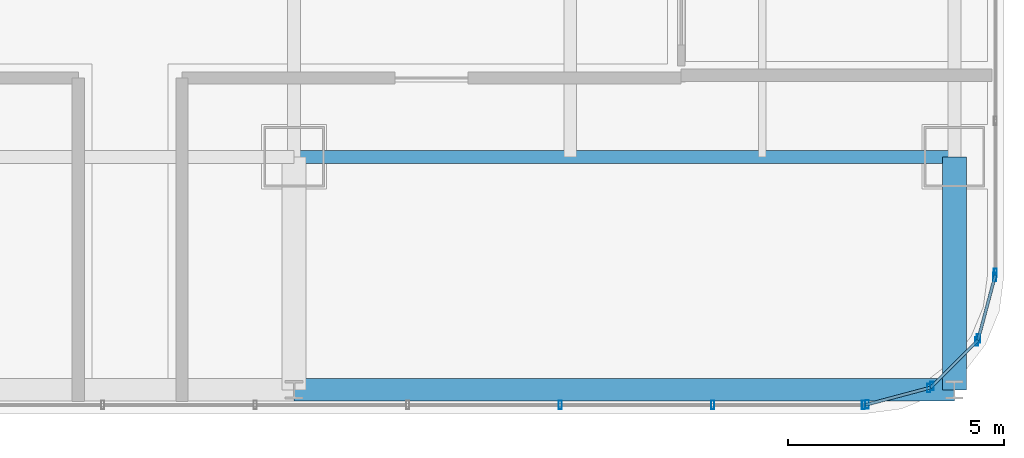
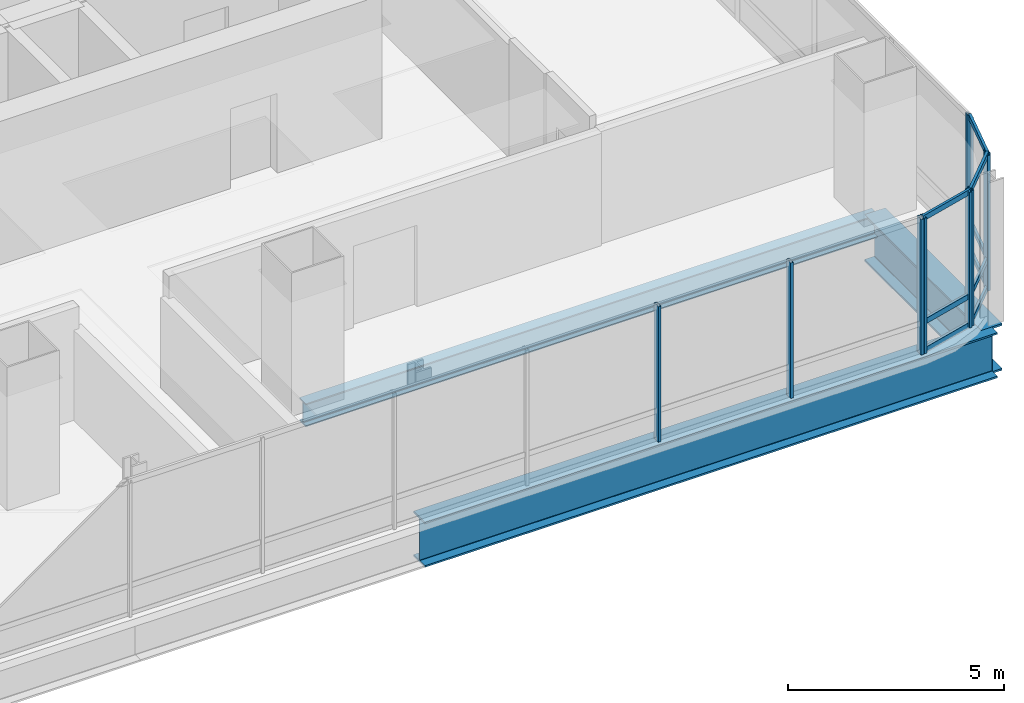
# One storey, part 13 of 36: 19 members, 3 beams, 5 elements without a shape of their own.
"""IFC4 building model written with IfcOpenShell, lengths in metres."""

from ifc_helpers import new_model, si_unit, direction, frame, origin, origin_2d, place, context, subcontext, project, spatial, hollow_rectangle, i_section, extrude, material, material_profile, profile_set, type_object, element, aggregate, save


model = new_model("IFC4")

# Units and contexts
model_context = context("Model", 3, precision=1e-05, world=origin(), true_north=direction((0.0, 1.0)))
body_context = subcontext(model_context, "Body", "Model", "MODEL_VIEW")
ifc_project = project(units=[si_unit("LENGTHUNIT", "METRE"), si_unit("AREAUNIT", "SQUARE_METRE"), si_unit("VOLUMEUNIT", "CUBIC_METRE"), si_unit("PLANEANGLEUNIT", "RADIAN"), si_unit("MASSUNIT", "GRAM", prefix="KILO")], contexts=[model_context])

# Site, building, storey
site_placement = place(None, origin())
site = spatial("IfcSite", under=ifc_project, at=site_placement, CompositionType="ELEMENT")
building_placement = place(site_placement, origin())
building = spatial("IfcBuilding", under=site, at=building_placement, Name="Punatoya Terracotta Tower", CompositionType="ELEMENT")
storey_placement = place(building_placement, frame((0.0, 0.0, 196.5)))
storey = spatial("IfcBuildingStorey", under=building, at=storey_placement, Name="L46", CompositionType="ELEMENT", Elevation=196.5)

# Beams
ifc_material_1 = material(Name="Steel S355", Category="steel")
ifc_material_profile_1 = material_profile(ifc_material_1, i_section(OverallWidth=0.300048828125, OverallDepth=0.64990234375, WebThickness=0.01611328125, FlangeThickness=0.031005859375, FilletRadius=0.01806640625, at=origin_2d()))
ifc_profile_set_1 = profile_set([ifc_material_profile_1], Name="Steel S355")
beam_type_1 = type_object("IfcBeamType", Name="BM-PRI-650", PredefinedType="BEAM", material=ifc_profile_set_1)
beam_1_placement = place(storey_placement, frame((3.800048828125, -17.5, -0.544921875), z_axis=(1.0, 0.0, 0.0), x_axis=(0.0, 1.0, 0.0)))
element("IfcBeam", 1, at=beam_1_placement, inside=storey, type_object=beam_type_1, Name="BM-L46-RG-S3", PredefinedType="BEAM", context=body_context, shape_type="SweptSolid", body=[
    extrude(i_section(OverallWidth=0.300048828125, OverallDepth=0.64990234375, WebThickness=0.01611328125, FlangeThickness=0.031005859375, FilletRadius=0.01806640625, at=origin_2d()), origin(), (0.0, 0.0, 1.0), 15.300048828125),
])
ifc_material_2 = material(Name="Steel S460", Category="steel")
ifc_material_profile_2 = material_profile(ifc_material_2, i_section(OverallWidth=0.56005859375, OverallDepth=1.320068359375, WebThickness=0.035888671875, FlangeThickness=0.054931640625, FilletRadius=0.01806640625, at=origin_2d()))
ifc_profile_set_2 = profile_set([ifc_material_profile_2], Name="Steel S460")
beam_type_2 = type_object("IfcBeamType", Name="BM-TG-BLK", PredefinedType="BEAM", material=ifc_profile_set_2)
beam_2_placement = place(storey_placement, frame((19.10009765625, -22.89990234375, -0.8798828125), z_axis=(0.0, 1.0, 0.0), x_axis=(-1.0, 0.0, 0.0)))
element("IfcBeam", 2, at=beam_2_placement, inside=storey, type_object=beam_type_2, Name="BM-L46-CANT-S4", PredefinedType="BEAM", context=body_context, shape_type="SweptSolid", body=[
    extrude(i_section(OverallWidth=0.56005859375, OverallDepth=1.320068359375, WebThickness=0.035888671875, FlangeThickness=0.054931640625, FilletRadius=0.01806640625, at=origin_2d()), origin(), (0.0, 0.0, 1.0), 5.39990234375),
])
ifc_material_profile_3 = material_profile(ifc_material_2, i_section(OverallWidth=0.52001953125, OverallDepth=1.280029296875, WebThickness=0.031982421875, FlangeThickness=0.050048828125, FilletRadius=0.01806640625, at=origin_2d()))
ifc_profile_set_3 = profile_set([ifc_material_profile_3], Name="Steel S460")
beam_type_3 = type_object("IfcBeamType", Name="BM-TG-NCK", PredefinedType="BEAM", material=ifc_profile_set_3)
beam_3_placement = place(storey_placement, frame((3.800048828125, -22.89990234375, -0.860107421875), z_axis=(1.0, 0.0, 0.0), x_axis=(0.0, 1.0, 0.0)))
element("IfcBeam", 3, at=beam_3_placement, inside=storey, type_object=beam_type_3, Name="BM-L46-PER-S3", PredefinedType="BEAM", context=body_context, shape_type="SweptSolid", body=[
    extrude(i_section(OverallWidth=0.52001953125, OverallDepth=1.280029296875, WebThickness=0.031982421875, FlangeThickness=0.050048828125, FilletRadius=0.01806640625, at=origin_2d()), origin(), (0.0, 0.0, 1.0), 15.300048828125),
])

# Curtain wall, members
ifc_material_3 = material(Name="Aluminium 6063-T6 + Double Low-E Glass", Category="aluminium")
curtain_wall_type = type_object("IfcCurtainWallType", Name="CW-M2", PredefinedType="NOTDEFINED", material=ifc_material_3)
curtain_wall_1_placement = place(storey_placement, origin())
curtain_wall_1 = element("IfcCurtainWall", 4, at=curtain_wall_1_placement, inside=storey, type_object=curtain_wall_type, Name="L46 Curtain Wall CW-L46-S01-1", PredefinedType="NOTDEFINED")
ifc_material_4 = material(Name="Aluminium 6063-T6", Category="aluminium")
ifc_material_profile_4 = material_profile(ifc_material_4, hollow_rectangle(XDim=0.072021484375, YDim=0.195068359375, WallThickness=0.00439453125, at=origin_2d()))
ifc_profile_set_4 = profile_set([ifc_material_profile_4], Name="Aluminium 6063-T6")
member_type_1 = type_object("IfcMemberType", Name="CW-MUL-M2", PredefinedType="MULLION", material=ifc_profile_set_4)
member_1_placement = place(storey_placement, frame((9.968994140625, -23.25, 0.0), z_axis=(0.0, 0.0, 1.0), x_axis=(1.0, 0.0, 0.0)))
member_1 = element("IfcMember", 5, at=member_1_placement, type_object=member_type_1, Name="CW-L46-S01-1 Mullion 09", PredefinedType="MULLION", context=body_context, shape_type="SweptSolid", body=[
    extrude(hollow_rectangle(XDim=0.072021484375, YDim=0.195068359375, WallThickness=0.00439453125, at=origin_2d()), origin(), (0.0, 0.0, 1.0), 3.830078125),
])
member_2_placement = place(storey_placement, frame((13.5029296875, -23.25, 0.0), z_axis=(0.0, 0.0, 1.0), x_axis=(1.0, 0.0, 0.0)))
member_2 = element("IfcMember", 6, at=member_2_placement, type_object=member_type_1, Name="CW-L46-S01-1 Mullion 10", PredefinedType="MULLION", context=body_context, shape_type="SweptSolid", body=[
    extrude(hollow_rectangle(XDim=0.072021484375, YDim=0.195068359375, WallThickness=0.00439453125, at=origin_2d()), origin(), (0.0, 0.0, 1.0), 3.830078125),
])
member_3_placement = place(storey_placement, frame((16.991943359375, -23.25, 0.0), z_axis=(0.0, 0.0, 1.0), x_axis=(1.0, 0.0, 0.0)))
member_3 = element("IfcMember", 7, at=member_3_placement, type_object=member_type_1, Name="CW-L46-S01-1 Mullion 11", PredefinedType="MULLION", context=body_context, shape_type="SweptSolid", body=[
    extrude(hollow_rectangle(XDim=0.072021484375, YDim=0.195068359375, WallThickness=0.00439453125, at=origin_2d()), origin(), (0.0, 0.0, 1.0), 3.830078125),
])
aggregate(curtain_wall_1, [member_1, member_2, member_3])

curtain_wall_2_placement = place(storey_placement, origin())
curtain_wall_2 = element("IfcCurtainWall", 8, at=curtain_wall_2_placement, inside=storey, type_object=curtain_wall_type, Name="L46 Curtain Wall CW-L46-CRN02", PredefinedType="NOTDEFINED")
member_4_placement = place(storey_placement, frame((17.080322265625, -23.23828125, 0.0), z_axis=(0.0, 0.0, 1.0), x_axis=(1.0, 0.0, 0.0)))
member_4 = element("IfcMember", 9, at=member_4_placement, type_object=member_type_1, Name="CW-L46-CRN02 Mullion 00", PredefinedType="MULLION", context=body_context, shape_type="SweptSolid", body=[
    extrude(hollow_rectangle(XDim=0.072021484375, YDim=0.195068359375, WallThickness=0.00439453125, at=origin_2d()), origin(), (0.0, 0.0, 1.0), 3.830078125),
])
member_5_placement = place(storey_placement, frame((18.505615234375, -22.858154296875, 0.0), z_axis=(0.0, 0.0, 1.0), x_axis=(1.0, 0.0, 0.0)))
member_5 = element("IfcMember", 10, at=member_5_placement, type_object=member_type_1, Name="CW-L46-CRN02 Mullion 01", PredefinedType="MULLION", context=body_context, shape_type="SweptSolid", body=[
    extrude(hollow_rectangle(XDim=0.072021484375, YDim=0.195068359375, WallThickness=0.00439453125, at=origin_2d()), origin(), (0.0, 0.0, 1.0), 3.830078125),
])

curtain_wall_3_placement = place(storey_placement, origin())
curtain_wall_3 = element("IfcCurtainWall", 11, at=curtain_wall_3_placement, inside=storey, type_object=curtain_wall_type, Name="L46 Curtain Wall CW-L46-CRN03", PredefinedType="NOTDEFINED")
member_6_placement = place(storey_placement, frame((18.580810546875, -22.814697265625, 0.0), z_axis=(0.0, 0.0, 1.0), x_axis=(1.0, 0.0, 0.0)))
member_6 = element("IfcMember", 12, at=member_6_placement, type_object=member_type_1, Name="CW-L46-CRN03 Mullion 00", PredefinedType="MULLION", context=body_context, shape_type="SweptSolid", body=[
    extrude(hollow_rectangle(XDim=0.072021484375, YDim=0.195068359375, WallThickness=0.00439453125, at=origin_2d()), origin(), (0.0, 0.0, 1.0), 3.830078125),
])
member_7_placement = place(storey_placement, frame((19.61474609375, -21.781005859375, 0.0), z_axis=(0.0, 0.0, 1.0), x_axis=(1.0, 0.0, 0.0)))
member_7 = element("IfcMember", 13, at=member_7_placement, type_object=member_type_1, Name="CW-L46-CRN03 Mullion 01", PredefinedType="MULLION", context=body_context, shape_type="SweptSolid", body=[
    extrude(hollow_rectangle(XDim=0.072021484375, YDim=0.195068359375, WallThickness=0.00439453125, at=origin_2d()), origin(), (0.0, 0.0, 1.0), 3.830078125),
])

curtain_wall_4_placement = place(storey_placement, origin())
curtain_wall_4 = element("IfcCurtainWall", 14, at=curtain_wall_4_placement, inside=storey, type_object=curtain_wall_type, Name="L46 Curtain Wall CW-L46-CRN04", PredefinedType="NOTDEFINED")
member_8_placement = place(storey_placement, frame((19.658203125, -21.70556640625, 0.0), z_axis=(0.0, 0.0, 1.0), x_axis=(1.0, 0.0, 0.0)))
member_8 = element("IfcMember", 15, at=member_8_placement, type_object=member_type_1, Name="CW-L46-CRN04 Mullion 00", PredefinedType="MULLION", context=body_context, shape_type="SweptSolid", body=[
    extrude(hollow_rectangle(XDim=0.072021484375, YDim=0.195068359375, WallThickness=0.00439453125, at=origin_2d()), origin(), (0.0, 0.0, 1.0), 3.830078125),
])
member_9_placement = place(storey_placement, frame((20.038330078125, -20.280517578125, 0.0), z_axis=(0.0, 0.0, 1.0), x_axis=(1.0, 0.0, 0.0)))
member_9 = element("IfcMember", 16, at=member_9_placement, type_object=member_type_1, Name="CW-L46-CRN04 Mullion 01", PredefinedType="MULLION", context=body_context, shape_type="SweptSolid", body=[
    extrude(hollow_rectangle(XDim=0.072021484375, YDim=0.195068359375, WallThickness=0.00439453125, at=origin_2d()), origin(), (0.0, 0.0, 1.0), 3.830078125),
])

# Curtain wall, member
curtain_wall_5_placement = place(storey_placement, origin())
curtain_wall_5 = element("IfcCurtainWall", 17, at=curtain_wall_5_placement, inside=storey, type_object=curtain_wall_type, Name="L46 Curtain Wall CW-L46-E05-1", PredefinedType="NOTDEFINED")
member_10_placement = place(storey_placement, frame((20.050048828125, -20.19189453125, 0.0), z_axis=(0.0, 0.0, 1.0), x_axis=(1.0, 0.0, 0.0)))
member_10 = element("IfcMember", 18, at=member_10_placement, type_object=member_type_1, Name="CW-L46-E05-1 Mullion 00", PredefinedType="MULLION", context=body_context, shape_type="SweptSolid", body=[
    extrude(hollow_rectangle(XDim=0.072021484375, YDim=0.195068359375, WallThickness=0.00439453125, at=origin_2d()), origin(), (0.0, 0.0, 1.0), 3.830078125),
])
aggregate(curtain_wall_5, [member_10])

# Member
ifc_material_profile_5 = material_profile(ifc_material_4, hollow_rectangle(XDim=0.068115234375, YDim=0.14990234375, WallThickness=0.00390625, at=origin_2d()))
ifc_profile_set_5 = profile_set([ifc_material_profile_5], Name="Aluminium 6063-T6")
member_type_2 = type_object("IfcMemberType", Name="CW-TRN-TYP", PredefinedType="USERDEFINED", material=ifc_profile_set_5)
member_11_placement = place(storey_placement, frame((17.036865234375, -23.25, 0.0400390625), z_axis=(0.966224582397, 0.257701486942, 0.0), x_axis=(-0.257701486942, 0.966224582397, 0.0)))
member_11 = element("IfcMember", 19, at=member_11_placement, type_object=member_type_2, Name="CW-L46-CRN02 Transom 1", ObjectType="TRANSOM", PredefinedType="USERDEFINED", context=body_context, shape_type="SweptSolid", body=[
    extrude(hollow_rectangle(XDim=0.068115234375, YDim=0.14990234375, WallThickness=0.00390625, at=origin_2d()), origin(), (0.0, 0.0, 1.0), 1.565185546875),
])

member_12_placement = place(storey_placement, frame((17.036865234375, -23.25, 0.85009765625), z_axis=(0.966224582397, 0.257701486942, 0.0), x_axis=(-0.257701486942, 0.966224582397, 0.0)))
member_12 = element("IfcMember", 20, at=member_12_placement, type_object=member_type_2, Name="CW-L46-CRN02 Transom 2", ObjectType="TRANSOM", PredefinedType="USERDEFINED", context=body_context, shape_type="SweptSolid", body=[
    extrude(hollow_rectangle(XDim=0.068115234375, YDim=0.14990234375, WallThickness=0.00390625, at=origin_2d()), origin(), (0.0, 0.0, 1.0), 1.565185546875),
])

member_13_placement = place(storey_placement, frame((17.036865234375, -23.25, 3.7900390625), z_axis=(0.966224582397, 0.257701486942, 0.0), x_axis=(-0.257701486942, 0.966224582397, 0.0)))
member_13 = element("IfcMember", 21, at=member_13_placement, type_object=member_type_2, Name="CW-L46-CRN02 Transom 3", ObjectType="TRANSOM", PredefinedType="USERDEFINED", context=body_context, shape_type="SweptSolid", body=[
    extrude(hollow_rectangle(XDim=0.068115234375, YDim=0.14990234375, WallThickness=0.00390625, at=origin_2d()), origin(), (0.0, 0.0, 1.0), 1.565185546875),
])

aggregate(curtain_wall_2, [member_4, member_5, member_11, member_12, member_13])

member_14_placement = place(storey_placement, frame((18.549072265625, -22.8466796875, 0.0400390625), z_axis=(0.707028130747, 0.707185422879, 0.0), x_axis=(-0.707185422879, 0.707028130747, 0.0)))
member_14 = element("IfcMember", 22, at=member_14_placement, type_object=member_type_2, Name="CW-L46-CRN03 Transom 1", ObjectType="TRANSOM", PredefinedType="USERDEFINED", context=body_context, shape_type="SweptSolid", body=[
    extrude(hollow_rectangle(XDim=0.068115234375, YDim=0.14990234375, WallThickness=0.00390625, at=origin_2d()), origin(), (0.0, 0.0, 1.0), 1.55224609375),
])

member_15_placement = place(storey_placement, frame((18.549072265625, -22.8466796875, 0.85009765625), z_axis=(0.707028130747, 0.707185422879, 0.0), x_axis=(-0.707185422879, 0.707028130747, 0.0)))
member_15 = element("IfcMember", 23, at=member_15_placement, type_object=member_type_2, Name="CW-L46-CRN03 Transom 2", ObjectType="TRANSOM", PredefinedType="USERDEFINED", context=body_context, shape_type="SweptSolid", body=[
    extrude(hollow_rectangle(XDim=0.068115234375, YDim=0.14990234375, WallThickness=0.00390625, at=origin_2d()), origin(), (0.0, 0.0, 1.0), 1.55224609375),
])

member_16_placement = place(storey_placement, frame((18.549072265625, -22.8466796875, 3.7900390625), z_axis=(0.707028130747, 0.707185422879, 0.0), x_axis=(-0.707185422879, 0.707028130747, 0.0)))
member_16 = element("IfcMember", 24, at=member_16_placement, type_object=member_type_2, Name="CW-L46-CRN03 Transom 3", ObjectType="TRANSOM", PredefinedType="USERDEFINED", context=body_context, shape_type="SweptSolid", body=[
    extrude(hollow_rectangle(XDim=0.068115234375, YDim=0.14990234375, WallThickness=0.00390625, at=origin_2d()), origin(), (0.0, 0.0, 1.0), 1.55224609375),
])

aggregate(curtain_wall_3, [member_6, member_7, member_14, member_15, member_16])

member_17_placement = place(storey_placement, frame((19.646484375, -21.7490234375, 0.0400390625), z_axis=(0.257847112249, 0.966185730957, 0.0), x_axis=(-0.966185730957, 0.257847112249, 0.0)))
member_17 = element("IfcMember", 25, at=member_17_placement, type_object=member_type_2, Name="CW-L46-CRN04 Transom 1", ObjectType="TRANSOM", PredefinedType="USERDEFINED", context=body_context, shape_type="SweptSolid", body=[
    extrude(hollow_rectangle(XDim=0.068115234375, YDim=0.14990234375, WallThickness=0.00390625, at=origin_2d()), origin(), (0.0, 0.0, 1.0), 1.565185546875),
])

member_18_placement = place(storey_placement, frame((19.646484375, -21.7490234375, 0.85009765625), z_axis=(0.257847112249, 0.966185730957, 0.0), x_axis=(-0.966185730957, 0.257847112249, 0.0)))
member_18 = element("IfcMember", 26, at=member_18_placement, type_object=member_type_2, Name="CW-L46-CRN04 Transom 2", ObjectType="TRANSOM", PredefinedType="USERDEFINED", context=body_context, shape_type="SweptSolid", body=[
    extrude(hollow_rectangle(XDim=0.068115234375, YDim=0.14990234375, WallThickness=0.00390625, at=origin_2d()), origin(), (0.0, 0.0, 1.0), 1.565185546875),
])

member_19_placement = place(storey_placement, frame((19.646484375, -21.7490234375, 3.7900390625), z_axis=(0.257847112249, 0.966185730957, 0.0), x_axis=(-0.966185730957, 0.257847112249, 0.0)))
member_19 = element("IfcMember", 27, at=member_19_placement, type_object=member_type_2, Name="CW-L46-CRN04 Transom 3", ObjectType="TRANSOM", PredefinedType="USERDEFINED", context=body_context, shape_type="SweptSolid", body=[
    extrude(hollow_rectangle(XDim=0.068115234375, YDim=0.14990234375, WallThickness=0.00390625, at=origin_2d()), origin(), (0.0, 0.0, 1.0), 1.565185546875),
])

aggregate(curtain_wall_4, [member_8, member_9, member_17, member_18, member_19])

save(model, "model.ifc")
